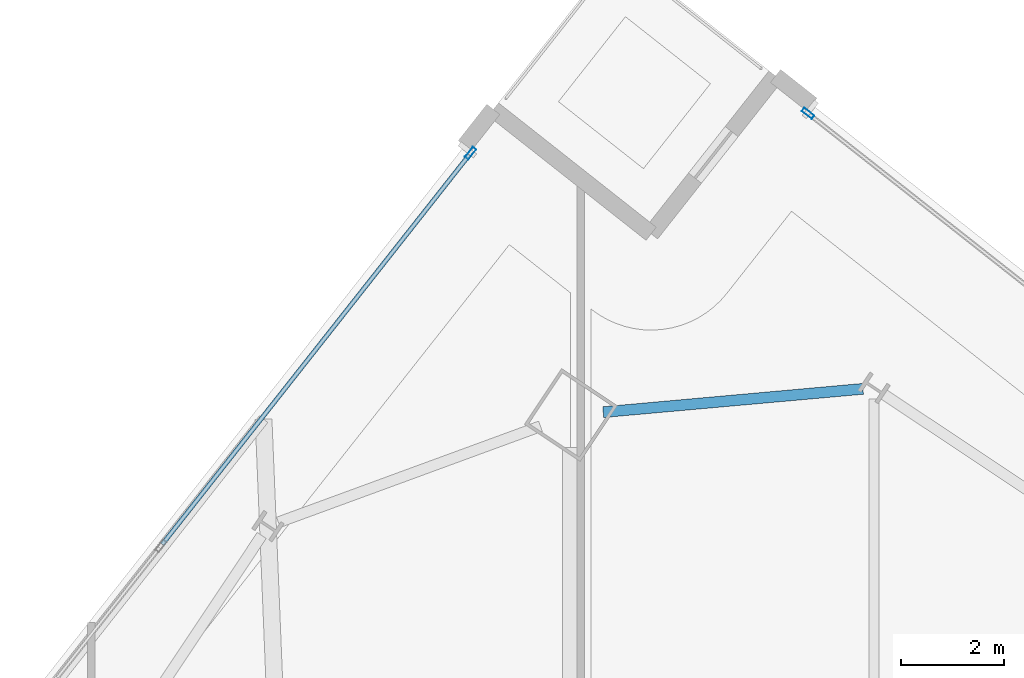
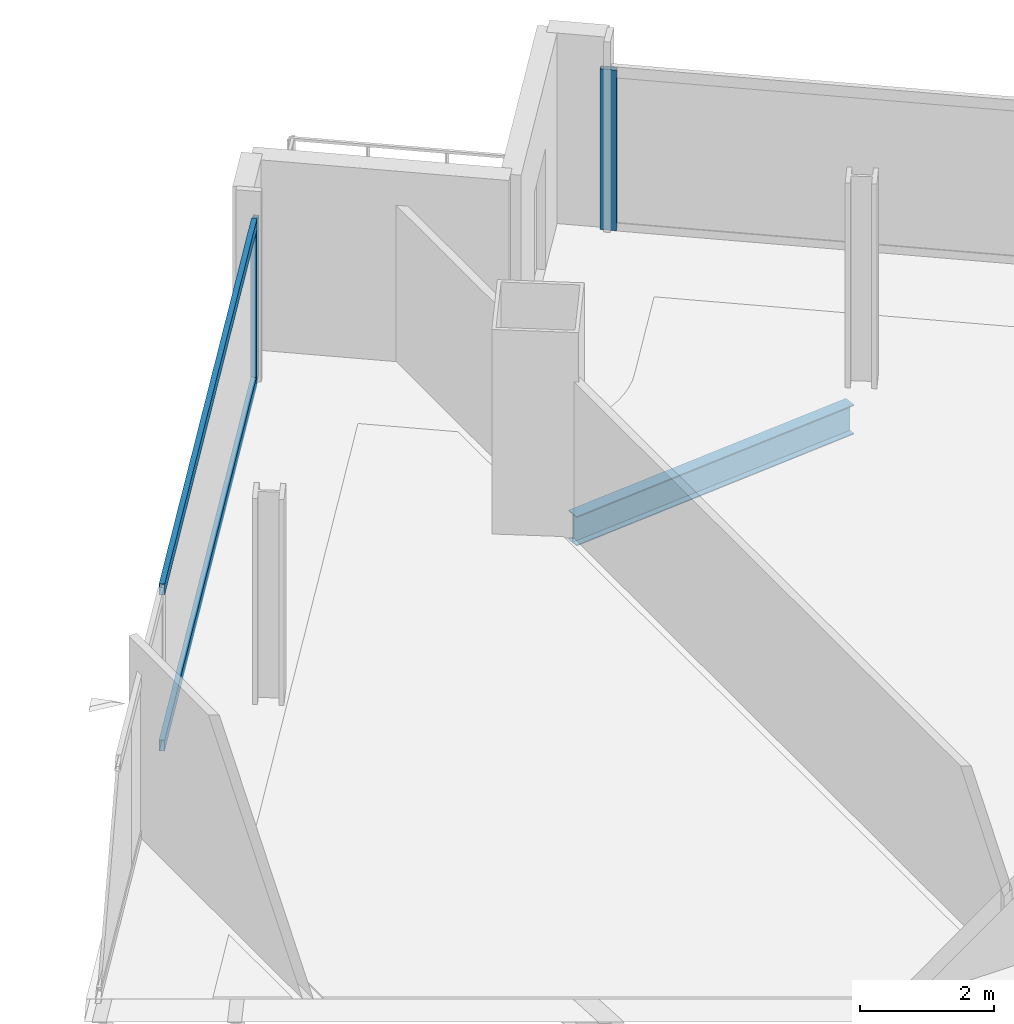
# One storey, part 15 of 28: 4 members, 1 beam, 2 elements without a shape of their own.
"""IFC4 building model written with IfcOpenShell, lengths in metres."""

from ifc_helpers import new_model, si_unit, direction, frame, origin, origin_2d, place, context, subcontext, project, spatial, hollow_rectangle, i_section, extrude, material, material_profile, profile_set, type_object, element, aggregate, save


model = new_model("IFC4")

# Units and contexts
model_context = context("Model", 3, precision=1e-05, world=origin(), true_north=direction((0.0, 1.0)))
body_context = subcontext(model_context, "Body", "Model", "MODEL_VIEW")
ifc_project = project(units=[si_unit("LENGTHUNIT", "METRE"), si_unit("AREAUNIT", "SQUARE_METRE"), si_unit("VOLUMEUNIT", "CUBIC_METRE"), si_unit("PLANEANGLEUNIT", "RADIAN"), si_unit("MASSUNIT", "GRAM", prefix="KILO")], contexts=[model_context])

# Site, building, storey
site_placement = place(None, origin())
site = spatial("IfcSite", under=ifc_project, at=site_placement, CompositionType="ELEMENT")
building_placement = place(site_placement, origin())
building = spatial("IfcBuilding", under=site, at=building_placement, Name="Haldenkirk Collegiate Tower", CompositionType="ELEMENT")
storey_placement = place(building_placement, frame((0.0, 0.0, 202.199951171875)))
storey = spatial("IfcBuildingStorey", under=building, at=storey_placement, Name="L50", CompositionType="ELEMENT", Elevation=202.199951171875)

# Beam
ifc_material_1 = material(Name="Steel ASTM A992 Grade 50", Category="steel")
ifc_material_profile_1 = material_profile(ifc_material_1, i_section(OverallWidth=0.2099609375, OverallDepth=0.537109375, WebThickness=0.010986328125, FlangeThickness=0.017333984375, at=origin_2d()), Name="W21X68")
ifc_profile_set_1 = profile_set([ifc_material_profile_1], Name="Steel ASTM A992 Grade 50")
beam_type = type_object("IfcBeamType", Name="BM-SPANDREL-W21X68", PredefinedType="SPANDREL", material=ifc_profile_set_1)
beam_placement = place(storey_placement, frame((37.9765625, 50.649169921875, -0.54833984375), z_axis=(-0.996001224794, -0.089339578066, 0.0), x_axis=(0.089339578066, -0.996001224794, 0.0)))
element("IfcBeam", 1, at=beam_placement, inside=storey, type_object=beam_type, Name="L50 perimeter spandrel beam 08", PredefinedType="SPANDREL", context=body_context, shape_type="SweptSolid", body=[
    extrude(i_section(OverallWidth=0.2099609375, OverallDepth=0.537109375, WebThickness=0.010986328125, FlangeThickness=0.017333984375, at=origin_2d()), origin(), (0.0, 0.0, 1.0), 5.06103515625),
])

# Curtain wall, member
ifc_material_2 = material(Name="Anodised architectural bronze aluminium", Category="aluminium")
curtain_wall_type = type_object("IfcCurtainWallType", Name="CW-SYS1B-CONVEX-HI", PredefinedType="USERDEFINED", material=ifc_material_2)
curtain_wall_1_placement = place(storey_placement, origin())
curtain_wall_1 = element("IfcCurtainWall", 2, at=curtain_wall_1_placement, inside=storey, type_object=curtain_wall_type, Name="L50 Upper tower high-wind convex bronze unitised curtain wall", ObjectType="UNITISED CURTAIN WALL", PredefinedType="USERDEFINED")
ifc_material_profile_2 = material_profile(ifc_material_2, hollow_rectangle(XDim=0.0849609375, YDim=0.25, WallThickness=0.0048828125, at=origin_2d()), Name="CW-MUL-1B")
ifc_profile_set_2 = profile_set([ifc_material_profile_2], Name="Anodised architectural bronze aluminium")
member_type_1 = type_object("IfcMemberType", Name="CW-MUL-1B", PredefinedType="MULLION", material=ifc_profile_set_2)
member_1_placement = place(storey_placement, frame((36.90869140625, 55.997314453125, 0.0), z_axis=(0.0, 0.0, 1.0), x_axis=(0.619093295434, 0.785317446355, 0.0)))
member_1 = element("IfcMember", 3, at=member_1_placement, type_object=member_type_1, Name="CW-1B mullion 1", PredefinedType="MULLION", context=body_context, shape_type="SweptSolid", body=[
    extrude(hollow_rectangle(XDim=0.0849609375, YDim=0.25, WallThickness=0.0048828125, at=origin_2d()), origin(), (0.0, 0.0, 1.0), 2.927978515625),
])
aggregate(curtain_wall_1, [member_1])

# Curtain wall, members
curtain_wall_2_placement = place(storey_placement, origin())
curtain_wall_2 = element("IfcCurtainWall", 4, at=curtain_wall_2_placement, inside=storey, type_object=curtain_wall_type, Name="L50 Upper tower high-wind convex bronze unitised curtain wall", ObjectType="UNITISED CURTAIN WALL", PredefinedType="USERDEFINED")
member_2_placement = place(storey_placement, frame((30.360595703125, 55.222412109375, 0.0), z_axis=(0.0, 0.0, 1.0), x_axis=(-0.785317136364, 0.619093688656, 0.0)))
member_2 = element("IfcMember", 5, at=member_2_placement, type_object=member_type_1, Name="CW-1B mullion 5", PredefinedType="MULLION", context=body_context, shape_type="SweptSolid", body=[
    extrude(hollow_rectangle(XDim=0.0849609375, YDim=0.25, WallThickness=0.0048828125, at=origin_2d()), origin(), (0.0, 0.0, 1.0), 2.927978515625),
])
ifc_material_profile_3 = material_profile(ifc_material_2, hollow_rectangle(XDim=0.0849609375, YDim=0.199951171875, WallThickness=0.0048828125, at=origin_2d()), Name="CW-TRN-1B")
ifc_profile_set_3 = profile_set([ifc_material_profile_3], Name="Anodised architectural bronze aluminium")
member_type_2 = type_object("IfcMemberType", Name="CW-TRN-1B", PredefinedType="USERDEFINED", material=ifc_profile_set_3)
member_3_placement = place(storey_placement, frame((24.377197265625, 47.63232421875, 0.04248046875), z_axis=(0.619100375329, 0.785311864973, 0.0), x_axis=(-0.785311864973, 0.619100375329, 0.0)))
member_3 = element("IfcMember", 6, at=member_3_placement, type_object=member_type_2, Name="CW-1B transom 4.1", ObjectType="TRANSOM", PredefinedType="USERDEFINED", context=body_context, shape_type="SweptSolid", body=[
    extrude(hollow_rectangle(XDim=0.0849609375, YDim=0.199951171875, WallThickness=0.0048828125, at=origin_2d()), origin(), (0.0, 0.0, 1.0), 9.62255859375),
])
member_4_placement = place(storey_placement, frame((24.377197265625, 47.63232421875, 2.885498046875), z_axis=(0.619100375329, 0.785311864973, 0.0), x_axis=(-0.785311864973, 0.619100375329, 0.0)))
member_4 = element("IfcMember", 7, at=member_4_placement, type_object=member_type_2, Name="CW-1B transom 4.2", ObjectType="TRANSOM", PredefinedType="USERDEFINED", context=body_context, shape_type="SweptSolid", body=[
    extrude(hollow_rectangle(XDim=0.0849609375, YDim=0.199951171875, WallThickness=0.0048828125, at=origin_2d()), origin(), (0.0, 0.0, 1.0), 9.62255859375),
])
aggregate(curtain_wall_2, [member_2, member_3, member_4])

save(model, "model.ifc")
